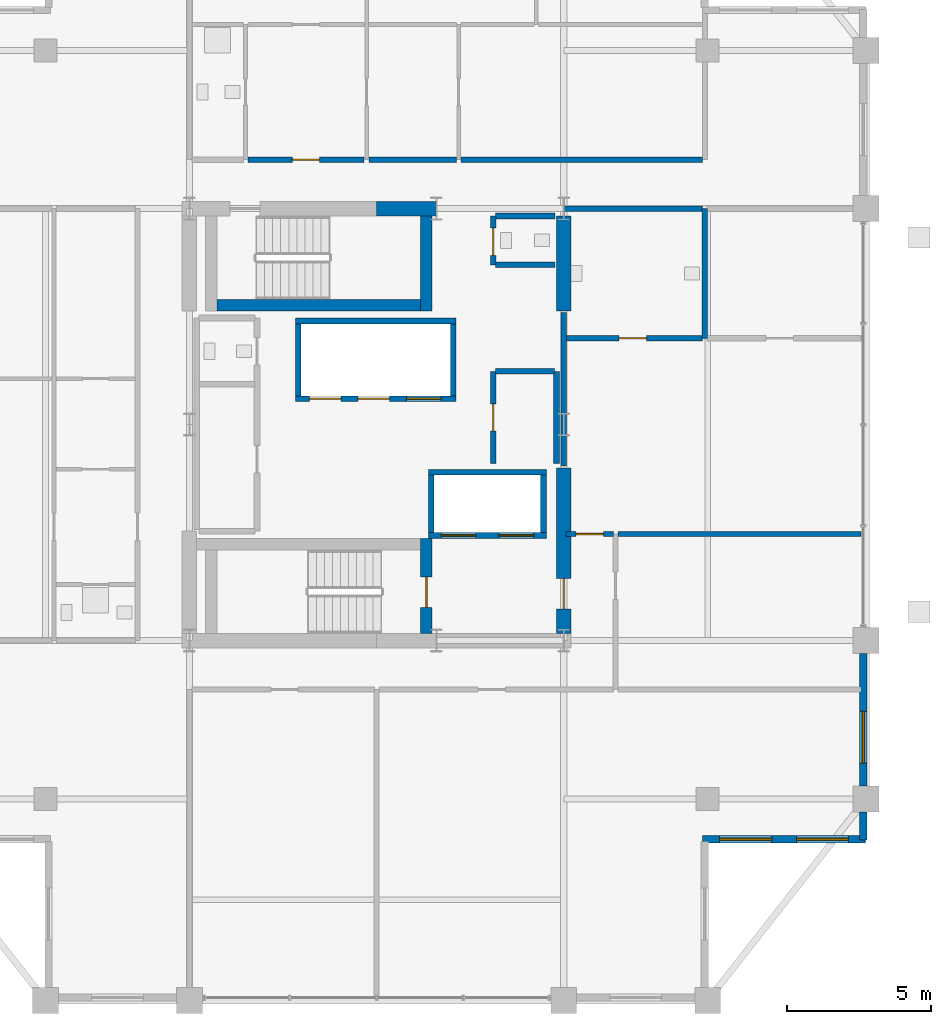
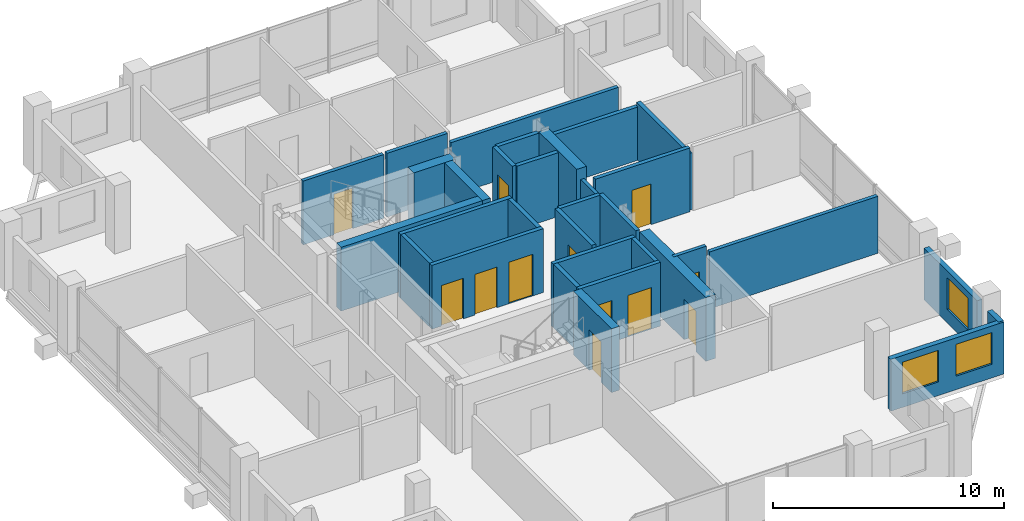
# One storey, part 17 of 21: 32 walls, 12 doors, 3 windows, 15 openings.
"""IFC4 building model written with IfcOpenShell, lengths in metres."""

from ifc_helpers import new_model, si_unit, direction, frame, frame_2d, origin, place, context, subcontext, project, spatial, rectangle, extrude, material, layer, layer_set, type_object, element, fill, save


model = new_model("IFC4")

# Units and contexts
model_context = context("Model", 3, precision=1e-05, world=origin(), true_north=direction((0.0, 1.0)))
body_context = subcontext(model_context, "Body", "Model", "MODEL_VIEW")
ifc_project = project(units=[si_unit("LENGTHUNIT", "METRE"), si_unit("AREAUNIT", "SQUARE_METRE"), si_unit("VOLUMEUNIT", "CUBIC_METRE"), si_unit("PLANEANGLEUNIT", "RADIAN"), si_unit("MASSUNIT", "GRAM", prefix="KILO")], contexts=[model_context])

# Site, building, storey
site_placement = place(None, origin())
site = spatial("IfcSite", under=ifc_project, at=site_placement, CompositionType="ELEMENT")
building_placement = place(site_placement, origin())
building = spatial("IfcBuilding", under=site, at=building_placement, Name="Barlavira Tower and Art Museum", CompositionType="ELEMENT")
storey_placement = place(building_placement, frame((0.0, 0.0, 222.300048828125)))
storey = spatial("IfcBuildingStorey", under=building, at=storey_placement, Name="L57", CompositionType="ELEMENT", Elevation=222.300048828125)

# Wall
ifc_material_1 = material(Name="Concrete C60", Category="concrete")
ifc_layer_1 = layer(ifc_material_1, 0.5, Name="Concrete C60")
ifc_layer_set_1 = layer_set([ifc_layer_1], Name="Concrete C60")
wall_type_1 = type_object("IfcWallType", Name="Core Structural Shear Wall 500 Concrete C60", PredefinedType="SHEAR", material=ifc_layer_set_1)
wall_1_placement = place(storey_placement, frame((0.0, 7.5, 0.0), z_axis=(0.0, 0.0, 1.0), x_axis=(1.0, 0.0, 0.0)))
element("IfcWall", 1, at=wall_1_placement, inside=storey, type_object=wall_type_1, Name="L57 Core Shear Wall CS-EN", PredefinedType="SHEAR", context=body_context, shape_type="SweptSolid", body=[
    extrude(rectangle(XDim=2.080078125, YDim=0.5, at=frame_2d((1.0400390625, 0.0))), origin(), (0.0, 0.0, 1.0), 3.3798828125),
])

# Wall, opening, door
wall_2_placement = place(storey_placement, frame((6.5, -7.25, 0.0), z_axis=(0.0, 0.0, 1.0), x_axis=(0.0, 1.0, 0.0)))
wall_2 = element("IfcWall", 2, at=wall_2_placement, inside=storey, type_object=wall_type_1, Name="L57 Core Shear Wall CS-E1", PredefinedType="SHEAR", context=body_context, shape_type="SweptSolid", body=[
    extrude(rectangle(XDim=5.75, YDim=0.5, at=frame_2d((2.875, 0.0))), origin(), (0.0, 0.0, 1.0), 3.3798828125),
])
opening_1_placement = place(wall_2_placement, frame((0.85009765625, 0.0, 0.0)))
opening_1 = element("IfcOpeningElement", 3, at=opening_1_placement, cuts=wall_2, Name="Opening FD-90", PredefinedType="OPENING", context=body_context, shape_type="SweptSolid", body=[
    extrude(rectangle(XDim=1.050048828125, YDim=2.14990234375, at=frame_2d((0.52490234375, 1.074951171875))), frame((0.0, 0.260009765625, 0.0), z_axis=(0.0, -1.0, 0.0), x_axis=(1.0, 0.0, 0.0)), (0.0, 0.0, 1.0), 0.52001953125),
])
ifc_material_2 = material(Name="Brushed stainless steel", Category="steel")
door_type_1 = type_object("IfcDoorType", Name="Stair and Refuge Fire Door 1050x2150 FD90S", OperationType="NOTDEFINED", PredefinedType="DOOR", material=ifc_material_2)
door_1_placement = place(opening_1_placement, origin())
door_1 = element("IfcDoor", 4, at=door_1_placement, inside=storey, type_object=door_type_1, Name="L57 Firefighting Lobby Entry Fire Door", OperationType="SINGLE_SWING_LEFT", OverallHeight=2.14990234375, OverallWidth=1.050048828125, PredefinedType="DOOR", context=body_context, shape_type="SweptSolid", body=[
    extrude(rectangle(XDim=1.050048828125, YDim=2.14990234375, at=frame_2d((0.52490234375, 1.074951171875))), frame((0.0, 0.02490234375, 0.0), z_axis=(0.0, -1.0, 0.0), x_axis=(1.0, 0.0, 0.0)), (0.0, 0.0, 1.0), 0.050048828125),
])
fill(opening_1, door_1)

# Wall
wall_3_placement = place(storey_placement, frame((6.5, 3.949951171875, 0.0), z_axis=(0.0, 0.0, 1.0), x_axis=(0.0, 1.0, 0.0)))
element("IfcWall", 5, at=wall_3_placement, inside=storey, type_object=wall_type_1, Name="L57 Core Shear Wall CS-E2", PredefinedType="SHEAR", context=body_context, shape_type="SweptSolid", body=[
    extrude(rectangle(XDim=3.300048828125, YDim=0.5, at=frame_2d((1.64990234375, 0.0))), origin(), (0.0, 0.0, 1.0), 3.3798828125),
])

# Wall, openings, doors
ifc_material_3 = material(Name="Autoclaved aerated concrete masonry", Category="masonry")
ifc_layer_2 = layer(ifc_material_3, 0.199951171875, Name="Autoclaved aerated concrete masonry")
ifc_layer_set_2 = layer_set([ifc_layer_2], Name="Autoclaved aerated concrete masonry")
wall_type_2 = type_object("IfcWallType", Name="Fire Compartment and Shaft Wall 200", PredefinedType="SOLIDWALL", material=ifc_layer_set_2)
wall_4_placement = place(storey_placement, frame((-2.820068359375, 0.89990234375, 0.0), z_axis=(0.0, 0.0, 1.0), x_axis=(1.0, 0.0, 0.0)))
wall_4 = element("IfcWall", 6, at=wall_4_placement, inside=storey, type_object=wall_type_2, Name="L57 High-Rise & Service Lift Front Wall", PredefinedType="SOLIDWALL", context=body_context, shape_type="SweptSolid", body=[
    extrude(rectangle(XDim=5.580078125, YDim=0.199951171875, at=frame_2d((2.7900390625, 0.0))), origin(), (0.0, 0.0, 1.0), 3.3798828125),
])
opening_2_placement = place(wall_4_placement, frame((0.489990234375, 0.0, 0.0)))
opening_2 = element("IfcOpeningElement", 7, at=opening_2_placement, cuts=wall_4, Name="Opening LD-P", PredefinedType="OPENING", context=body_context, shape_type="SweptSolid", body=[
    extrude(rectangle(XDim=1.10009765625, YDim=2.14990234375, at=frame_2d((0.550048828125, 1.074951171875))), frame((0.0, 0.10986328125, 0.0), z_axis=(0.0, -1.0, 0.0), x_axis=(1.0, 0.0, 0.0)), (0.0, 0.0, 1.0), 0.219970703125),
])
opening_3_placement = place(wall_4_placement, frame((2.169921875, 0.0, 0.0)))
opening_3 = element("IfcOpeningElement", 8, at=opening_3_placement, cuts=wall_4, Name="Opening LD-P", PredefinedType="OPENING", context=body_context, shape_type="SweptSolid", body=[
    extrude(rectangle(XDim=1.10009765625, YDim=2.14990234375, at=frame_2d((0.550048828125, 1.074951171875))), frame((0.0, 0.10986328125, 0.0), z_axis=(0.0, -1.0, 0.0), x_axis=(1.0, 0.0, 0.0)), (0.0, 0.0, 1.0), 0.219970703125),
])
opening_4_placement = place(wall_4_placement, frame((3.860107421875, 0.0, 0.0)))
opening_4 = element("IfcOpeningElement", 9, at=opening_4_placement, cuts=wall_4, Name="Opening LD-F", PredefinedType="OPENING", context=body_context, shape_type="SweptSolid", body=[
    extrude(rectangle(XDim=1.199951171875, YDim=2.199951171875, at=frame_2d((0.60009765625, 1.10009765625))), frame((0.0, 0.10986328125, 0.0), z_axis=(0.0, -1.0, 0.0), x_axis=(1.0, 0.0, 0.0)), (0.0, 0.0, 1.0), 0.219970703125),
])
door_type_2 = type_object("IfcDoorType", Name="Firefighting and Service Lift Sliding Door 1200x2200 FD120", OperationType="NOTDEFINED", PredefinedType="DOOR", material=ifc_material_2)
door_2_placement = place(opening_4_placement, origin())
door_2 = element("IfcDoor", 10, at=door_2_placement, inside=storey, type_object=door_type_2, Name="L57 Stretcher Service Lift SL1 Sliding Door", OperationType="DOUBLE_DOOR_SLIDING", OverallHeight=2.199951171875, OverallWidth=1.199951171875, PredefinedType="DOOR", context=body_context, shape_type="SweptSolid", body=[
    extrude(rectangle(XDim=1.199951171875, YDim=2.199951171875, at=frame_2d((0.60009765625, 1.10009765625))), frame((0.0, 0.02490234375, 0.0), z_axis=(0.0, -1.0, 0.0), x_axis=(1.0, 0.0, 0.0)), (0.0, 0.0, 1.0), 0.050048828125),
])
fill(opening_4, door_2)
door_type_3 = type_object("IfcDoorType", Name="Passenger Lift Sliding Landing Door 1100x2150 FD60", OperationType="NOTDEFINED", PredefinedType="DOOR", material=ifc_material_2)
door_3_placement = place(opening_2_placement, origin())
door_3 = element("IfcDoor", 11, at=door_3_placement, inside=storey, type_object=door_type_3, Name="L57 Lift PH1 Sliding Landing Door", OperationType="DOUBLE_DOOR_SLIDING", OverallHeight=2.14990234375, OverallWidth=1.10009765625, PredefinedType="DOOR", context=body_context, shape_type="SweptSolid", body=[
    extrude(rectangle(XDim=1.10009765625, YDim=2.14990234375, at=frame_2d((0.550048828125, 1.074951171875))), frame((0.0, 0.02490234375, 0.0), z_axis=(0.0, -1.0, 0.0), x_axis=(1.0, 0.0, 0.0)), (0.0, 0.0, 1.0), 0.050048828125),
])
fill(opening_2, door_3)
door_4_placement = place(opening_3_placement, origin())
door_4 = element("IfcDoor", 12, at=door_4_placement, inside=storey, type_object=door_type_3, Name="L57 Lift PH2 Sliding Landing Door", OperationType="DOUBLE_DOOR_SLIDING", OverallHeight=2.14990234375, OverallWidth=1.10009765625, PredefinedType="DOOR", context=body_context, shape_type="SweptSolid", body=[
    extrude(rectangle(XDim=1.10009765625, YDim=2.14990234375, at=frame_2d((0.550048828125, 1.074951171875))), frame((0.0, 0.02490234375, 0.0), z_axis=(0.0, -1.0, 0.0), x_axis=(1.0, 0.0, 0.0)), (0.0, 0.0, 1.0), 0.050048828125),
])
fill(opening_3, door_4)

# Walls
wall_5_placement = place(storey_placement, frame((-2.820068359375, 3.60009765625, 0.0), z_axis=(0.0, 0.0, 1.0), x_axis=(1.0, 0.0, 0.0)))
element("IfcWall", 13, at=wall_5_placement, inside=storey, type_object=wall_type_2, Name="L57 High-Rise & Service Lift Back Wall", PredefinedType="SOLIDWALL", context=body_context, shape_type="SweptSolid", body=[
    extrude(rectangle(XDim=5.580078125, YDim=0.199951171875, at=frame_2d((2.7900390625, 0.0))), origin(), (0.0, 0.0, 1.0), 3.3798828125),
])
for number, where, z_axis, x_axis, name in (
    (14, (-2.719970703125, 1.0, 0.0), (0.0, 0.0, 1.0), (0.0, 1.0, 0.0), "L57 High-Rise & Service Lift West Wall"),
    (15, (2.659912109375, 1.0, 0.0), (0.0, 0.0, 1.0), (0.0, 1.0, 0.0), "L57 High-Rise & Service Lift East Wall"),
):
    element("IfcWall", number, at=place(storey_placement, frame(where, z_axis=z_axis, x_axis=x_axis)), inside=storey, type_object=wall_type_2, Name=name, PredefinedType="SOLIDWALL", context=body_context, shape_type="SweptSolid", body=[
        extrude(rectangle(XDim=2.5, YDim=0.199951171875, at=frame_2d((1.25, 0.0))), origin(), (0.0, 0.0, 1.0), 3.3798828125),
    ])

# Wall, openings, doors
wall_6_placement = place(storey_placement, frame((1.800048828125, -3.85009765625, 0.0), z_axis=(0.0, 0.0, 1.0), x_axis=(1.0, 0.0, 0.0)))
wall_6 = element("IfcWall", 16, at=wall_6_placement, inside=storey, type_object=wall_type_2, Name="L57 Firefighting Lift Front Shaft Wall", PredefinedType="SOLIDWALL", context=body_context, shape_type="SweptSolid", body=[
    extrude(rectangle(XDim=4.099853515625, YDim=0.199951171875, at=frame_2d((2.0498046875, 0.0))), origin(), (0.0, 0.0, 1.0), 3.3798828125),
])
opening_5_placement = place(wall_6_placement, frame((0.449951171875, 0.0, 0.0)))
opening_5 = element("IfcOpeningElement", 17, at=opening_5_placement, cuts=wall_6, Name="Opening LD-F", PredefinedType="OPENING", context=body_context, shape_type="SweptSolid", body=[
    extrude(rectangle(XDim=1.199951171875, YDim=2.199951171875, at=frame_2d((0.60009765625, 1.10009765625))), frame((0.0, 0.10986328125, 0.0), z_axis=(0.0, -1.0, 0.0), x_axis=(1.0, 0.0, 0.0)), (0.0, 0.0, 1.0), 0.219970703125),
])
opening_6_placement = place(wall_6_placement, frame((2.449951171875, 0.0, 0.0)))
opening_6 = element("IfcOpeningElement", 18, at=opening_6_placement, cuts=wall_6, Name="Opening LD-F", PredefinedType="OPENING", context=body_context, shape_type="SweptSolid", body=[
    extrude(rectangle(XDim=1.199951171875, YDim=2.199951171875, at=frame_2d((0.60009765625, 1.10009765625))), frame((0.0, 0.10986328125, 0.0), z_axis=(0.0, -1.0, 0.0), x_axis=(1.0, 0.0, 0.0)), (0.0, 0.0, 1.0), 0.219970703125),
])
door_5_placement = place(opening_5_placement, origin())
door_5 = element("IfcDoor", 19, at=door_5_placement, inside=storey, type_object=door_type_2, Name="L57 Firefighting Lift FF1 Sliding Door", OperationType="DOUBLE_DOOR_SLIDING", OverallHeight=2.199951171875, OverallWidth=1.199951171875, PredefinedType="DOOR", context=body_context, shape_type="SweptSolid", body=[
    extrude(rectangle(XDim=1.199951171875, YDim=2.199951171875, at=frame_2d((0.60009765625, 1.10009765625))), frame((0.0, 0.02490234375, 0.0), z_axis=(0.0, -1.0, 0.0), x_axis=(1.0, 0.0, 0.0)), (0.0, 0.0, 1.0), 0.050048828125),
])
fill(opening_5, door_5)
door_6_placement = place(opening_6_placement, origin())
door_6 = element("IfcDoor", 20, at=door_6_placement, inside=storey, type_object=door_type_2, Name="L57 Firefighting Lift FF2 Sliding Door", OperationType="DOUBLE_DOOR_SLIDING", OverallHeight=2.199951171875, OverallWidth=1.199951171875, PredefinedType="DOOR", context=body_context, shape_type="SweptSolid", body=[
    extrude(rectangle(XDim=1.199951171875, YDim=2.199951171875, at=frame_2d((0.60009765625, 1.10009765625))), frame((0.0, 0.02490234375, 0.0), z_axis=(0.0, -1.0, 0.0), x_axis=(1.0, 0.0, 0.0)), (0.0, 0.0, 1.0), 0.050048828125),
])
fill(opening_6, door_6)

# Walls
wall_7_placement = place(storey_placement, frame((1.800048828125, -1.64990234375, 0.0), z_axis=(0.0, 0.0, 1.0), x_axis=(1.0, 0.0, 0.0)))
element("IfcWall", 21, at=wall_7_placement, inside=storey, type_object=wall_type_2, Name="L57 Firefighting Lift Back Shaft Wall", PredefinedType="SOLIDWALL", context=body_context, shape_type="SweptSolid", body=[
    extrude(rectangle(XDim=4.099853515625, YDim=0.199951171875, at=frame_2d((2.0498046875, 0.0))), origin(), (0.0, 0.0, 1.0), 3.3798828125),
])
for number, where, z_axis, x_axis, name in (
    (22, (1.89990234375, -3.75, 0.0), (0.0, 0.0, 1.0), (0.0, 1.0, 0.0), "L57 Firefighting Lift West Shaft Wall"),
    (23, (5.800048828125, -3.75, 0.0), (0.0, 0.0, 1.0), (0.0, 1.0, 0.0), "L57 Firefighting Lift East Shaft Wall"),
):
    element("IfcWall", number, at=place(storey_placement, frame(where, z_axis=z_axis, x_axis=x_axis)), inside=storey, type_object=wall_type_2, Name=name, PredefinedType="SOLIDWALL", context=body_context, shape_type="SweptSolid", body=[
        extrude(rectangle(XDim=2.0, YDim=0.199951171875, at=frame_2d((1.0, 0.0))), origin(), (0.0, 0.0, 1.0), 3.3798828125),
    ])

# Wall, opening, door
wall_8_placement = place(storey_placement, frame((4.050048828125, -1.35009765625, 0.0), z_axis=(0.0, 0.0, 1.0), x_axis=(0.0, 1.0, 0.0)))
wall_8 = element("IfcWall", 24, at=wall_8_placement, inside=storey, type_object=wall_type_2, Name="L57 Partition Wall 11", PredefinedType="SOLIDWALL", context=body_context, shape_type="SweptSolid", body=[
    extrude(rectangle(XDim=3.2001953125, YDim=0.199951171875, at=frame_2d((1.60009765625, 0.0))), origin(), (0.0, 0.0, 1.0), 3.3798828125),
])
opening_7_placement = place(wall_8_placement, frame((1.125, 0.0, 0.0)))
opening_7 = element("IfcOpeningElement", 25, at=opening_7_placement, cuts=wall_8, Name="Opening FD-60", PredefinedType="OPENING", context=body_context, shape_type="SweptSolid", body=[
    extrude(rectangle(XDim=0.949951171875, YDim=2.14990234375, at=frame_2d((0.47509765625, 1.074951171875))), frame((0.0, 0.10986328125, 0.0), z_axis=(0.0, -1.0, 0.0), x_axis=(1.0, 0.0, 0.0)), (0.0, 0.0, 1.0), 0.219970703125),
])
door_type_4 = type_object("IfcDoorType", Name="Apartment Entrance and Riser Fire Door 950x2150 FD60S", OperationType="NOTDEFINED", PredefinedType="DOOR", material=ifc_material_2)
door_7_placement = place(opening_7_placement, origin())
door_7 = element("IfcDoor", 26, at=door_7_placement, inside=storey, type_object=door_type_4, Name="Reclaimed Upper Core Valet Store Door", OperationType="SINGLE_SWING_RIGHT", OverallHeight=2.14990234375, OverallWidth=0.949951171875, PredefinedType="DOOR", context=body_context, shape_type="SweptSolid", body=[
    extrude(rectangle(XDim=0.949951171875, YDim=2.14990234375, at=frame_2d((0.47509765625, 1.074951171875))), frame((0.0, 0.02490234375, 0.0), z_axis=(0.0, -1.0, 0.0), x_axis=(1.0, 0.0, 0.0)), (0.0, 0.0, 1.0), 0.050048828125),
])
fill(opening_7, door_7)

wall_9_placement = place(storey_placement, frame((4.050048828125, 5.550048828125, 0.0), z_axis=(0.0, 0.0, 1.0), x_axis=(0.0, 1.0, 0.0)))
wall_9 = element("IfcWall", 27, at=wall_9_placement, inside=storey, type_object=wall_type_2, Name="L57 Partition Wall 12", PredefinedType="SOLIDWALL", context=body_context, shape_type="SweptSolid", body=[
    extrude(rectangle(XDim=1.699951171875, YDim=0.199951171875, at=frame_2d((0.85009765625, 0.0))), origin(), (0.0, 0.0, 1.0), 3.3798828125),
])
opening_8_placement = place(wall_9_placement, frame((0.324951171875, 0.0, 0.0)))
opening_8 = element("IfcOpeningElement", 28, at=opening_8_placement, cuts=wall_9, Name="Opening FD-60", PredefinedType="OPENING", context=body_context, shape_type="SweptSolid", body=[
    extrude(rectangle(XDim=0.949951171875, YDim=2.14990234375, at=frame_2d((0.47509765625, 1.074951171875))), frame((0.0, 0.10986328125, 0.0), z_axis=(0.0, -1.0, 0.0), x_axis=(1.0, 0.0, 0.0)), (0.0, 0.0, 1.0), 0.219970703125),
])
door_8_placement = place(opening_8_placement, origin())
door_8 = element("IfcDoor", 29, at=door_8_placement, inside=storey, type_object=door_type_4, Name="Core Accessible Washroom Door", OperationType="SINGLE_SWING_LEFT", OverallHeight=2.14990234375, OverallWidth=0.949951171875, PredefinedType="DOOR", context=body_context, shape_type="SweptSolid", body=[
    extrude(rectangle(XDim=0.949951171875, YDim=2.14990234375, at=frame_2d((0.47509765625, 1.074951171875))), frame((0.0, 0.02490234375, 0.0), z_axis=(0.0, -1.0, 0.0), x_axis=(1.0, 0.0, 0.0)), (0.0, 0.0, 1.0), 0.050048828125),
])
fill(opening_8, door_8)

# Walls
wall_10_placement = place(storey_placement, frame((6.25, -1.35009765625, 0.0), z_axis=(0.0, 0.0, 1.0), x_axis=(0.0, 1.0, 0.0)))
element("IfcWall", 30, at=wall_10_placement, inside=storey, type_object=wall_type_2, Name="L57 Partition Wall 14", PredefinedType="SOLIDWALL", context=body_context, shape_type="SweptSolid", body=[
    extrude(rectangle(XDim=3.2001953125, YDim=0.199951171875, at=frame_2d((1.60009765625, 0.0))), origin(), (0.0, 0.0, 1.0), 3.3798828125),
])
wall_11_placement = place(storey_placement, frame((11.39990234375, 3.0, 0.0), z_axis=(0.0, 0.0, 1.0), x_axis=(0.0, 1.0, 0.0)))
element("IfcWall", 31, at=wall_11_placement, inside=storey, type_object=wall_type_2, Name="L57 Partition Wall 17", PredefinedType="SOLIDWALL", context=body_context, shape_type="SweptSolid", body=[
    extrude(rectangle(XDim=4.5, YDim=0.199951171875, at=frame_2d((2.25, 0.0))), origin(), (0.0, 0.0, 1.0), 3.01806640625),
])
wall_12_placement = place(storey_placement, frame((4.1298828125, 1.85009765625, 0.0), z_axis=(0.0, 0.0, 1.0), x_axis=(1.0, 0.0, 0.0)))
element("IfcWall", 32, at=wall_12_placement, inside=storey, type_object=wall_type_2, Name="L57 Partition Wall 32", PredefinedType="SOLIDWALL", context=body_context, shape_type="SweptSolid", body=[
    extrude(rectangle(XDim=2.0400390625, YDim=0.199951171875, at=frame_2d((1.02001953125, 0.0))), origin(), (0.0, 0.0, 1.0), 3.3798828125),
])

# Wall, opening, door
wall_13_placement = place(storey_placement, frame((6.580078125, 3.0, 0.0), z_axis=(0.0, 0.0, 1.0), x_axis=(1.0, 0.0, 0.0)))
wall_13 = element("IfcWall", 33, at=wall_13_placement, inside=storey, type_object=wall_type_2, Name="L57 Partition Wall 33", PredefinedType="SOLIDWALL", context=body_context, shape_type="SweptSolid", body=[
    extrude(rectangle(XDim=4.739990234375, YDim=0.199951171875, at=frame_2d((2.3701171875, 0.0))), origin(), (0.0, 0.0, 1.0), 3.3798828125),
])
opening_9_placement = place(wall_13_placement, frame((1.844970703125, 0.0, 0.0)))
opening_9 = element("IfcOpeningElement", 34, at=opening_9_placement, cuts=wall_13, Name="Opening FD-60", PredefinedType="OPENING", context=body_context, shape_type="SweptSolid", body=[
    extrude(rectangle(XDim=0.949951171875, YDim=2.14990234375, at=frame_2d((0.47509765625, 1.074951171875))), frame((0.0, 0.10986328125, 0.0), z_axis=(0.0, -1.0, 0.0), x_axis=(1.0, 0.0, 0.0)), (0.0, 0.0, 1.0), 0.219970703125),
])
door_9_placement = place(opening_9_placement, origin())
door_9 = element("IfcDoor", 35, at=door_9_placement, inside=storey, type_object=door_type_4, Name="Sky Lobby Accessible Restroom Door", OperationType="SINGLE_SWING_RIGHT", OverallHeight=2.14990234375, OverallWidth=0.949951171875, PredefinedType="DOOR", context=body_context, shape_type="SweptSolid", body=[
    extrude(rectangle(XDim=0.949951171875, YDim=2.14990234375, at=frame_2d((0.47509765625, 1.074951171875))), frame((0.0, 0.02490234375, 0.0), z_axis=(0.0, -1.0, 0.0), x_axis=(1.0, 0.0, 0.0)), (0.0, 0.0, 1.0), 0.050048828125),
])
fill(opening_9, door_9)

# Walls
for number, where, z_axis, x_axis, name in (
    (36, (4.1298828125, 5.550048828125, 0.0), (0.0, 0.0, 1.0), (1.0, 0.0, 0.0), "L57 Partition Wall 36"),
    (37, (4.1298828125, 7.25, 0.0), (0.0, 0.0, 1.0), (1.0, 0.0, 0.0), "L57 Partition Wall 37"),
):
    element("IfcWall", number, at=place(storey_placement, frame(where, z_axis=z_axis, x_axis=x_axis)), inside=storey, type_object=wall_type_2, Name=name, PredefinedType="SOLIDWALL", context=body_context, shape_type="SweptSolid", body=[
        extrude(rectangle(XDim=2.070068359375, YDim=0.199951171875, at=frame_2d((1.03515625, 0.0))), origin(), (0.0, 0.0, 1.0), 3.3798828125),
    ])
wall_14_placement = place(storey_placement, frame((6.5, 7.5, 0.0), z_axis=(0.0, 0.0, 1.0), x_axis=(1.0, 0.0, 0.0)))
element("IfcWall", 38, at=wall_14_placement, inside=storey, type_object=wall_type_2, Name="L57 Partition Wall 40", PredefinedType="SOLIDWALL", context=body_context, shape_type="SweptSolid", body=[
    extrude(rectangle(XDim=4.820068359375, YDim=0.199951171875, at=frame_2d((2.41015625, 0.0))), origin(), (0.0, 0.0, 1.0), 2.825927734375),
])
ifc_material_4 = material(Name="Gypsum acoustic stud partition", Category="gypsum")
ifc_layer_3 = layer(ifc_material_4, 0.179931640625, Name="Gypsum acoustic stud partition")
ifc_layer_set_3 = layer_set([ifc_layer_3], Name="Gypsum acoustic stud partition")
wall_type_3 = type_object("IfcWallType", Name="Inter-Tenancy Party Partition Wall 180", PredefinedType="PARTITIONING", material=ifc_layer_set_3)
wall_15_placement = place(storey_placement, frame((6.5, -1.43994140625, 0.0), z_axis=(0.0, 0.0, 1.0), x_axis=(0.0, 1.0, 0.0)))
element("IfcWall", 39, at=wall_15_placement, inside=storey, type_object=wall_type_3, Name="L57 Partition Wall 15", PredefinedType="PARTITIONING", context=body_context, shape_type="SweptSolid", body=[
    extrude(rectangle(XDim=5.329833984375, YDim=0.179931640625, at=frame_2d((2.6650390625, 0.0))), origin(), (0.0, 0.0, 1.0), 2.825927734375),
])

# Wall, opening, door
wall_16_placement = place(storey_placement, frame((6.580078125, -3.800048828125, 0.0), z_axis=(0.0, 0.0, 1.0), x_axis=(1.0, 0.0, 0.0)))
wall_16 = element("IfcWall", 40, at=wall_16_placement, inside=storey, type_object=wall_type_3, Name="L57 Partition Wall 25", PredefinedType="PARTITIONING", context=body_context, shape_type="SweptSolid", body=[
    extrude(rectangle(XDim=1.639892578125, YDim=0.179931640625, at=frame_2d((0.81982421875, 0.0))), origin(), (0.0, 0.0, 1.0), 3.3798828125),
])
opening_10_placement = place(wall_16_placement, frame((0.344970703125, 0.0, 0.0)))
opening_10 = element("IfcOpeningElement", 41, at=opening_10_placement, cuts=wall_16, Name="Opening FD-60", PredefinedType="OPENING", context=body_context, shape_type="SweptSolid", body=[
    extrude(rectangle(XDim=0.949951171875, YDim=2.14990234375, at=frame_2d((0.47509765625, 1.074951171875))), frame((0.0, 0.10009765625, 0.0), z_axis=(0.0, -1.0, 0.0), x_axis=(1.0, 0.0, 0.0)), (0.0, 0.0, 1.0), 0.199951171875),
])
door_10_placement = place(opening_10_placement, origin())
door_10 = element("IfcDoor", 42, at=door_10_placement, inside=storey, type_object=door_type_4, Name="Sky Executive Meeting Suite Door", OperationType="SINGLE_SWING_LEFT", OverallHeight=2.14990234375, OverallWidth=0.949951171875, PredefinedType="DOOR", context=body_context, shape_type="SweptSolid", body=[
    extrude(rectangle(XDim=0.949951171875, YDim=2.14990234375, at=frame_2d((0.47509765625, 1.074951171875))), frame((0.0, 0.02490234375, 0.0), z_axis=(0.0, -1.0, 0.0), x_axis=(1.0, 0.0, 0.0)), (0.0, 0.0, 1.0), 0.050048828125),
])
fill(opening_10, door_10)

# Wall
wall_17_placement = place(storey_placement, frame((8.3798828125, -3.800048828125, 0.0), z_axis=(0.0, 0.0, 1.0), x_axis=(1.0, 0.0, 0.0)))
element("IfcWall", 43, at=wall_17_placement, inside=storey, type_object=wall_type_3, Name="L57 Partition Wall 26", PredefinedType="PARTITIONING", context=body_context, shape_type="SweptSolid", body=[
    extrude(rectangle(XDim=8.440185546875, YDim=0.179931640625, at=frame_2d((4.22021484375, 0.0))), origin(), (0.0, 0.0, 1.0), 3.01806640625),
])

# Wall, opening, door
wall_18_placement = place(storey_placement, frame((-4.469970703125, 9.199951171875, 0.0), z_axis=(0.0, 0.0, 1.0), x_axis=(1.0, 0.0, 0.0)))
wall_18 = element("IfcWall", 44, at=wall_18_placement, inside=storey, type_object=wall_type_3, Name="L57 Partition Wall 43", PredefinedType="PARTITIONING", context=body_context, shape_type="SweptSolid", body=[
    extrude(rectangle(XDim=4.0400390625, YDim=0.179931640625, at=frame_2d((2.02001953125, 0.0))), origin(), (0.0, 0.0, 1.0), 3.3798828125),
])
opening_11_placement = place(wall_18_placement, frame((1.544921875, 0.0, 0.0)))
opening_11 = element("IfcOpeningElement", 45, at=opening_11_placement, cuts=wall_18, Name="Opening FD-60", PredefinedType="OPENING", context=body_context, shape_type="SweptSolid", body=[
    extrude(rectangle(XDim=0.949951171875, YDim=2.14990234375, at=frame_2d((0.47509765625, 1.074951171875))), frame((0.0, 0.10009765625, 0.0), z_axis=(0.0, -1.0, 0.0), x_axis=(1.0, 0.0, 0.0)), (0.0, 0.0, 1.0), 0.199951171875),
])
door_11_placement = place(opening_11_placement, origin())
door_11 = element("IfcDoor", 46, at=door_11_placement, inside=storey, type_object=door_type_4, Name="Apartment Entrance Hall SKY-N1 Door", OperationType="SINGLE_SWING_LEFT", OverallHeight=2.14990234375, OverallWidth=0.949951171875, PredefinedType="DOOR", context=body_context, shape_type="SweptSolid", body=[
    extrude(rectangle(XDim=0.949951171875, YDim=2.14990234375, at=frame_2d((0.47509765625, 1.074951171875))), frame((0.0, 0.02490234375, 0.0), z_axis=(0.0, -1.0, 0.0), x_axis=(1.0, 0.0, 0.0)), (0.0, 0.0, 1.0), 0.050048828125),
])
fill(opening_11, door_11)

# Walls
wall_19_placement = place(storey_placement, frame((-0.27001953125, 9.199951171875, 0.0), z_axis=(0.0, 0.0, 1.0), x_axis=(1.0, 0.0, 0.0)))
element("IfcWall", 47, at=wall_19_placement, inside=storey, type_object=wall_type_3, Name="L57 Partition Wall 44", PredefinedType="PARTITIONING", context=body_context, shape_type="SweptSolid", body=[
    extrude(rectangle(XDim=3.0400390625, YDim=0.179931640625, at=frame_2d((1.52001953125, 0.0))), origin(), (0.0, 0.0, 1.0), 3.3798828125),
])
wall_20_placement = place(storey_placement, frame((2.929931640625, 9.199951171875, 0.0), z_axis=(0.0, 0.0, 1.0), x_axis=(1.0, 0.0, 0.0)))
element("IfcWall", 48, at=wall_20_placement, inside=storey, type_object=wall_type_3, Name="L57 Partition Wall 45", PredefinedType="PARTITIONING", context=body_context, shape_type="SweptSolid", body=[
    extrude(rectangle(XDim=8.39013671875, YDim=0.179931640625, at=frame_2d((4.195068359375, 0.0))), origin(), (0.0, 0.0, 1.0), 2.825927734375),
])
ifc_material_5 = material(Name="Precast concrete C40", Category="concrete")
ifc_layer_4 = layer(ifc_material_5, 0.25, Name="Precast concrete C40")
ifc_layer_set_4 = layer_set([ifc_layer_4], Name="Precast concrete C40")
wall_type_4 = type_object("IfcWallType", Name="Notched Corner Spandrel Wall 250 Precast Concrete C40", PredefinedType="SOLIDWALL", material=ifc_layer_set_4)
wall_21_placement = place(storey_placement, frame((16.89990234375, -14.425048828125, 0.0), z_axis=(0.0, 0.0, 1.0), x_axis=(0.0, 1.0, 0.0)))
element("IfcWall", 49, at=wall_21_placement, inside=storey, type_object=wall_type_4, Name="L57 Coastal Facade Pier Wall CW4-L57-E-1", PredefinedType="SOLIDWALL", context=body_context, shape_type="SweptSolid", body=[
    extrude(rectangle(XDim=0.97998046875, YDim=0.25, at=frame_2d((0.489990234375, 0.0))), origin(), (0.0, 0.0, 1.0), 2.748046875),
])

# Wall, opening, window
wall_22_placement = place(storey_placement, frame((16.89990234375, -12.554931640625, 0.0), z_axis=(0.0, 0.0, 1.0), x_axis=(0.0, 1.0, 0.0)))
wall_22 = element("IfcWall", 50, at=wall_22_placement, inside=storey, type_object=wall_type_4, Name="L57 Coastal Facade Pier Wall CW4-L57-E-2", PredefinedType="SOLIDWALL", context=body_context, shape_type="SweptSolid", body=[
    extrude(rectangle(XDim=4.60986328125, YDim=0.25, at=frame_2d((2.304931640625, 0.0))), origin(), (0.0, 0.0, 1.0), 2.748046875),
])
opening_12_placement = place(wall_22_placement, frame((0.800048828125, 0.0, 0.719970703125)))
opening_12 = element("IfcOpeningElement", 51, at=opening_12_placement, cuts=wall_22, Name="Opening WN-01", PredefinedType="OPENING", context=body_context, shape_type="SweptSolid", body=[
    extrude(rectangle(XDim=1.800048828125, YDim=1.679931640625, at=frame_2d((0.89990234375, 0.83984375))), frame((0.0, 0.135009765625, 0.0), z_axis=(0.0, -1.0, 0.0), x_axis=(1.0, 0.0, 0.0)), (0.0, 0.0, 1.0), 0.27001953125),
])
ifc_material_6 = material(Name="Low-iron coastal laminated glass", Category="glass")
window_type = type_object("IfcWindowType", Name="Recessed Notch Corner Punch Window 1800x1680", PartitioningType="SINGLE_PANEL", PredefinedType="WINDOW", material=ifc_material_6)
window_1_placement = place(opening_12_placement, origin())
window_1 = element("IfcWindow", 52, at=window_1_placement, inside=storey, type_object=window_type, Name="L57 Punched Facade Window EWP-CW4-L57-E-2-1", OverallHeight=1.679931640625, OverallWidth=1.800048828125, PartitioningType="SINGLE_PANEL", PredefinedType="WINDOW", context=body_context, shape_type="SweptSolid", body=[
    extrude(rectangle(XDim=1.800048828125, YDim=1.679931640625, at=frame_2d((0.89990234375, 0.83984375))), frame((0.0, 0.030029296875, 0.0), z_axis=(0.0, -1.0, 0.0), x_axis=(1.0, 0.0, 0.0)), (0.0, 0.0, 1.0), 0.06005859375),
])
fill(opening_12, window_1)

# Wall, openings, windows
wall_23_placement = place(storey_placement, frame((11.320068359375, -14.39990234375, 0.0), z_axis=(0.0, 0.0, 1.0), x_axis=(1.0, 0.0, 0.0)))
wall_23 = element("IfcWall", 53, at=wall_23_placement, inside=storey, type_object=wall_type_4, Name="L57 Notch Corner Wall SE2", PredefinedType="SOLIDWALL", context=body_context, shape_type="SweptSolid", body=[
    extrude(rectangle(XDim=5.659912109375, YDim=0.25, at=frame_2d((2.830078125, 0.0))), origin(), (0.0, 0.0, 1.0), 2.748046875),
])
opening_13_placement = place(wall_23_placement, frame((0.594970703125, 0.0, 0.719970703125)))
opening_13 = element("IfcOpeningElement", 54, at=opening_13_placement, cuts=wall_23, Name="Opening WN-01", PredefinedType="OPENING", context=body_context, shape_type="SweptSolid", body=[
    extrude(rectangle(XDim=1.800048828125, YDim=1.679931640625, at=frame_2d((0.89990234375, 0.83984375))), frame((0.0, 0.135009765625, 0.0), z_axis=(0.0, -1.0, 0.0), x_axis=(1.0, 0.0, 0.0)), (0.0, 0.0, 1.0), 0.27001953125),
])
opening_14_placement = place(wall_23_placement, frame((3.264892578125, 0.0, 0.719970703125)))
opening_14 = element("IfcOpeningElement", 55, at=opening_14_placement, cuts=wall_23, Name="Opening WN-01", PredefinedType="OPENING", context=body_context, shape_type="SweptSolid", body=[
    extrude(rectangle(XDim=1.800048828125, YDim=1.679931640625, at=frame_2d((0.89990234375, 0.83984375))), frame((0.0, 0.135009765625, 0.0), z_axis=(0.0, -1.0, 0.0), x_axis=(1.0, 0.0, 0.0)), (0.0, 0.0, 1.0), 0.27001953125),
])
window_2_placement = place(opening_13_placement, origin())
window_2 = element("IfcWindow", 56, at=window_2_placement, inside=storey, type_object=window_type, Name="L57 Punched Facade Window EW-NTC-L57-SE2-1", OverallHeight=1.679931640625, OverallWidth=1.800048828125, PartitioningType="SINGLE_PANEL", PredefinedType="WINDOW", context=body_context, shape_type="SweptSolid", body=[
    extrude(rectangle(XDim=1.800048828125, YDim=1.679931640625, at=frame_2d((0.89990234375, 0.83984375))), frame((0.0, 0.030029296875, 0.0), z_axis=(0.0, -1.0, 0.0), x_axis=(1.0, 0.0, 0.0)), (0.0, 0.0, 1.0), 0.06005859375),
])
fill(opening_13, window_2)
window_3_placement = place(opening_14_placement, origin())
window_3 = element("IfcWindow", 57, at=window_3_placement, inside=storey, type_object=window_type, Name="L57 Punched Facade Window EW-NTC-L57-SE2-2", OverallHeight=1.679931640625, OverallWidth=1.800048828125, PartitioningType="SINGLE_PANEL", PredefinedType="WINDOW", context=body_context, shape_type="SweptSolid", body=[
    extrude(rectangle(XDim=1.800048828125, YDim=1.679931640625, at=frame_2d((0.89990234375, 0.83984375))), frame((0.0, 0.030029296875, 0.0), z_axis=(0.0, -1.0, 0.0), x_axis=(1.0, 0.0, 0.0)), (0.0, 0.0, 1.0), 0.06005859375),
])
fill(opening_14, window_3)

# Wall, opening, door
ifc_material_7 = material(Name="Concrete C55", Category="concrete")
ifc_layer_5 = layer(ifc_material_7, 0.39990234375, Name="Concrete C55")
ifc_layer_set_5 = layer_set([ifc_layer_5], Name="Concrete C55")
wall_type_5 = type_object("IfcWallType", Name="Upper Core Shear Wall 400 Concrete C55", PredefinedType="SHEAR", material=ifc_layer_set_5)
wall_24_placement = place(storey_placement, frame((1.72998046875, -7.25, 0.0), z_axis=(0.0, 0.0, 1.0), x_axis=(0.0, 1.0, 0.0)))
wall_24 = element("IfcWall", 58, at=wall_24_placement, inside=storey, type_object=wall_type_5, Name="L57 ST-T1 East Landing Wall", PredefinedType="SHEAR", context=body_context, shape_type="SweptSolid", body=[
    extrude(rectangle(XDim=3.300048828125, YDim=0.39990234375, at=frame_2d((1.64990234375, 0.0))), origin(), (0.0, 0.0, 1.0), 3.3798828125),
])
opening_15_placement = place(wall_24_placement, frame((0.89990234375, 0.0, 0.0)))
opening_15 = element("IfcOpeningElement", 59, at=opening_15_placement, cuts=wall_24, Name="Opening FD-90", PredefinedType="OPENING", context=body_context, shape_type="SweptSolid", body=[
    extrude(rectangle(XDim=1.050048828125, YDim=2.14990234375, at=frame_2d((0.52490234375, 1.074951171875))), frame((0.0, 0.2099609375, 0.0), z_axis=(0.0, -1.0, 0.0), x_axis=(1.0, 0.0, 0.0)), (0.0, 0.0, 1.0), 0.419921875),
])
door_12_placement = place(opening_15_placement, origin())
door_12 = element("IfcDoor", 60, at=door_12_placement, inside=storey, type_object=door_type_1, Name="L57 Stair ST-T1 Fire Door", OperationType="SINGLE_SWING_RIGHT", OverallHeight=2.14990234375, OverallWidth=1.050048828125, PredefinedType="DOOR", context=body_context, shape_type="SweptSolid", body=[
    extrude(rectangle(XDim=1.050048828125, YDim=2.14990234375, at=frame_2d((0.52490234375, 1.074951171875))), frame((0.0, 0.02490234375, 0.0), z_axis=(0.0, -1.0, 0.0), x_axis=(1.0, 0.0, 0.0)), (0.0, 0.0, 1.0), 0.050048828125),
])
fill(opening_15, door_12)

# Walls
wall_25_placement = place(storey_placement, frame((-5.550048828125, 4.14990234375, 0.0), z_axis=(0.0, 0.0, 1.0), x_axis=(1.0, 0.0, 0.0)))
element("IfcWall", 61, at=wall_25_placement, inside=storey, type_object=wall_type_5, Name="L57 ST-T2 South Shaft Wall", PredefinedType="SHEAR", context=body_context, shape_type="SweptSolid", body=[
    extrude(rectangle(XDim=7.080078125, YDim=0.39990234375, at=frame_2d((3.5400390625, 0.0))), origin(), (0.0, 0.0, 1.0), 3.3798828125),
])
wall_26_placement = place(storey_placement, frame((1.72998046875, 3.949951171875, 0.0), z_axis=(0.0, 0.0, 1.0), x_axis=(0.0, 1.0, 0.0)))
element("IfcWall", 62, at=wall_26_placement, inside=storey, type_object=wall_type_5, Name="L57 ST-T2 East Half-Landing Wall", PredefinedType="SHEAR", context=body_context, shape_type="SweptSolid", body=[
    extrude(rectangle(XDim=3.300048828125, YDim=0.39990234375, at=frame_2d((1.64990234375, 0.0))), origin(), (0.0, 0.0, 1.0), 3.3798828125),
])

save(model, "model.ifc")
